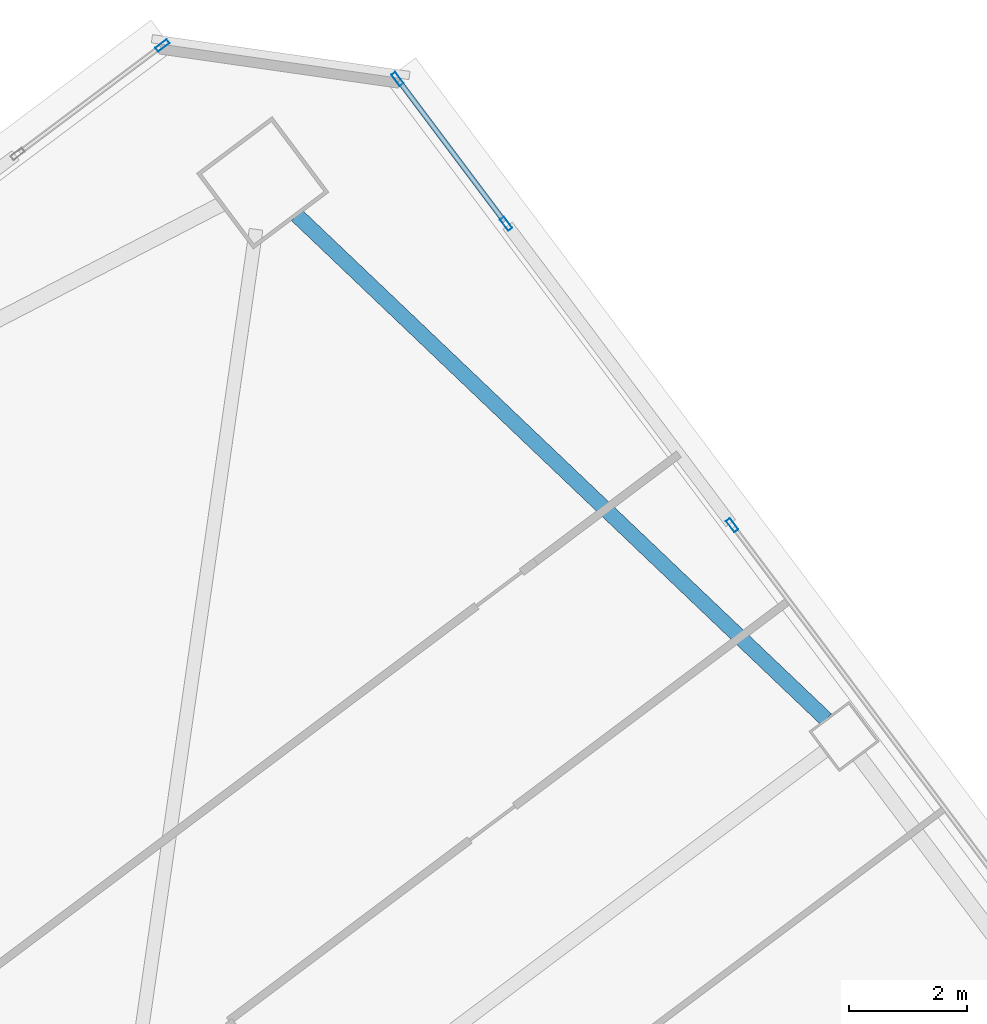
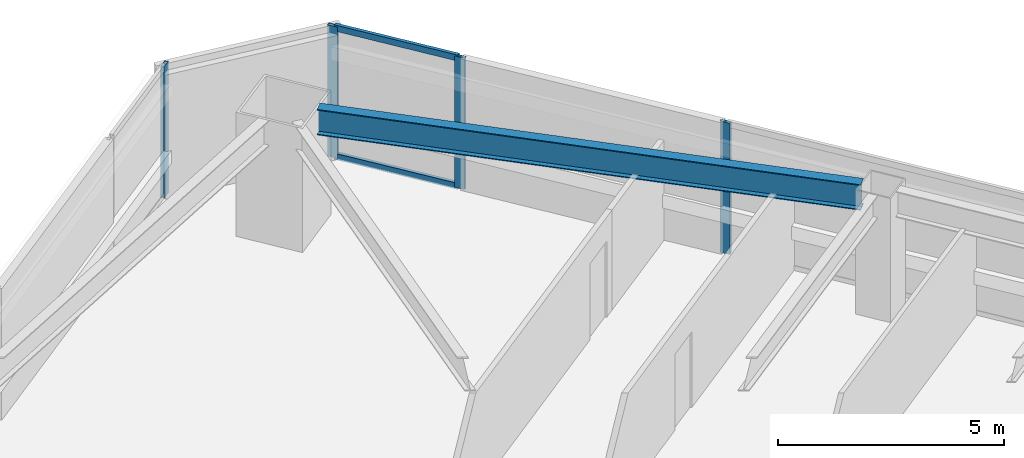
# One storey, part 36 of 51: 6 members, 1 beam, 3 elements without a shape of their own.
"""IFC4 building model written with IfcOpenShell, lengths in metres."""

import ifcopenshell
import ifcopenshell.guid

model = None  # the IFC model being written
_history = None  # IfcOwnerHistory: only IFC2X3 demands one
_inside = {}  # id of a spatial element -> (the spatial element, [elements in it])
_under = {}  # id of a project, library or spatial element -> (it, [spatial elements below it])
_declared = {}  # id of a project -> (the project, [libraries it declares])
_typed = {}  # id of a type object -> (the type object, [elements of that type])
_made_of = {}  # id of a material, layer set ... -> (it, [elements and type objects made of it])


def new_model(schema):
    """Start an empty IFC model of exactly this schema.

    Asked for "IFC4X3", IfcOpenShell would pick the latest addendum, in which some entities
    have other attributes; the version numbers below select the first issue.
    IFC2X3 requires an IfcOwnerHistory on every rooted entity: one is made here for all.
    """
    global model, _history
    if schema == "IFC4X3":
        model = ifcopenshell.file(schema_version=(4, 3, 0, 0))
    else:
        model = ifcopenshell.file(schema=schema)
    _inside.clear()
    _under.clear()
    _declared.clear()
    _typed.clear()
    _made_of.clear()
    _history = None
    if model.schema == "IFC2X3":
        org = make("IfcOrganization", Name="unknown")
        user = make(
            "IfcPersonAndOrganization",
            ThePerson=make("IfcPerson", FamilyName="unknown"),
            TheOrganization=org,
        )
        app = make(
            "IfcApplication",
            ApplicationDeveloper=org,
            Version="unknown",
            ApplicationFullName="unknown",
            ApplicationIdentifier="unknown",
        )
        _history = make(
            "IfcOwnerHistory",
            OwningUser=user,
            OwningApplication=app,
            ChangeAction="ADDED",
            CreationDate=0,
        )
    return model


def make(cls, **values):
    """One entity of the class cls with the attributes given. An attribute that is None is left unset."""
    return model.create_entity(
        cls, **{name: value for name, value in values.items() if value is not None}
    )


def rooted(cls, **values):
    """An entity with a GlobalId (a new one), such as an element, a storey or a relation."""
    return make(cls, GlobalId=ifcopenshell.guid.new(), OwnerHistory=_history, **values)


def si_unit(unit_type, name, prefix=None):
    """IfcSIUnit, for example si_unit("LENGTHUNIT", "METRE", prefix="MILLI")."""
    return make("IfcSIUnit", UnitType=unit_type, Prefix=prefix, Name=name)


def assignment(units):
    """IfcUnitAssignment: the units of a project."""
    return None if units is None else make("IfcUnitAssignment", Units=units)


def point(xyz):
    """IfcCartesianPoint."""
    return None if xyz is None else make("IfcCartesianPoint", Coordinates=xyz)


def direction(xyz):
    """IfcDirection."""
    return None if xyz is None else make("IfcDirection", DirectionRatios=xyz)


def frame(location, z_axis=None, x_axis=None):
    """IfcAxis2Placement3D, a coordinate frame: its origin and axes. An axis left out is left unset."""
    return make(
        "IfcAxis2Placement3D",
        Location=point(location),
        Axis=direction(z_axis),
        RefDirection=direction(x_axis),
    )


def frame_2d(location, x_axis=None):
    """IfcAxis2Placement2D, a coordinate frame in the plane: its origin and x axis."""
    return make(
        "IfcAxis2Placement2D", Location=point(location), RefDirection=direction(x_axis)
    )


def origin():
    """The frame at (0, 0, 0) with its axes left unset."""
    return frame((0.0, 0.0, 0.0))


def origin_2d():
    """The frame at (0, 0) in the plane with its x axis left unset."""
    return frame_2d((0.0, 0.0))


def place(relative_to, where):
    """IfcLocalPlacement: puts the frame where relative to a parent placement (None: the world)."""
    return make(
        "IfcLocalPlacement", PlacementRelTo=relative_to, RelativePlacement=where
    )


def context(
    kind, dimensions, precision=None, world=None, true_north=None, identifier=None
):
    """IfcGeometricRepresentationContext, for example the 3D "Model" context."""
    return make(
        "IfcGeometricRepresentationContext",
        ContextIdentifier=identifier,
        ContextType=kind,
        CoordinateSpaceDimension=dimensions,
        Precision=precision,
        WorldCoordinateSystem=world,
        TrueNorth=true_north,
    )


def subcontext(parent, identifier, kind, view, scale=None):
    """IfcGeometricRepresentationSubContext, for example "Body" below "Model"."""
    return make(
        "IfcGeometricRepresentationSubContext",
        ContextIdentifier=identifier,
        ContextType=kind,
        ParentContext=parent,
        TargetScale=scale,
        TargetView=view,
    )


def project(units=None, contexts=None):
    """IfcProject with its units and contexts."""
    return rooted(
        "IfcProject",
        Name="project",
        RepresentationContexts=contexts,
        UnitsInContext=assignment(units),
    )


def spatial(cls, under=None, at=None, **own):
    """A site, building, storey or space (cls), placed at a placement, below another one or the project."""
    s = rooted(cls, ObjectPlacement=at, **own)
    if under is not None:
        _under.setdefault(under.id(), (under, []))[1].append(s)
    return s


def profile(cls, at=None, kind="AREA", **sizes):
    """A parametric profile (cls). Its sizes go by their IFC names, for example OverallWidth=200.0."""
    return make(cls, ProfileType=kind, Position=at, **sizes)


def hollow_rectangle(**sizes):
    """IfcRectangleHollowProfileDef."""
    return profile("IfcRectangleHollowProfileDef", **sizes)


def i_section(**sizes):
    """IfcIShapeProfileDef."""
    return profile("IfcIShapeProfileDef", **sizes)


def extrude(swept, where, along, depth):
    """IfcExtrudedAreaSolid: the profile swept, set in the frame where, extruded along a direction by depth."""
    return make(
        "IfcExtrudedAreaSolid",
        SweptArea=swept,
        Position=where,
        ExtrudedDirection=direction(along),
        Depth=depth,
    )


def shape(context_of_items, identifier, shape_type, items):
    """IfcShapeRepresentation: the items that make up one representation, for example the "Body"."""
    return make(
        "IfcShapeRepresentation",
        ContextOfItems=context_of_items,
        RepresentationIdentifier=identifier,
        RepresentationType=shape_type,
        Items=items,
    )


def material(Name=None, Category=None):
    """IfcMaterial."""
    return make("IfcMaterial", Name=Name, Category=Category)


def material_profile(
    of_material, cross_section, Name=None, Category=None, Priority=None
):
    """IfcMaterialProfile: a cross section and its material."""
    return make(
        "IfcMaterialProfile",
        Name=Name,
        Material=of_material,
        Profile=cross_section,
        Priority=Priority,
        Category=Category,
    )


def profile_set(profiles, Name=None, composite=None):
    """IfcMaterialProfileSet."""
    return make(
        "IfcMaterialProfileSet",
        Name=Name,
        MaterialProfiles=profiles,
        CompositeProfile=composite,
    )


def made_of(thing, what):
    """Note that an element or type object is made of a material, layer set ...; save() writes the relation."""
    if what is not None:
        _made_of.setdefault(what.id(), (what, []))[1].append(thing)
    return thing


def type_object(cls, material=None, **own):
    """A type object (cls), such as IfcWallType, which elements share."""
    return made_of(rooted(cls, **own), material)


def element(
    cls,
    number,
    at=None,
    inside=None,
    cuts=None,
    type_object=None,
    material=None,
    context=None,
    identifier="Body",
    shape_type=None,
    held_by="IfcProductDefinitionShape",
    body=None,
    shapes=None,
    **own,
):
    """One element of the class cls, such as IfcWall. Its Tag is "e" and its number.

    at: its placement. inside: the storey or other place that contains it. cuts: it is an
    opening in that element (IfcRelVoidsElement). A single representation is given by context,
    identifier, shape_type and body (its items); several are given by shapes. held_by: the class
    of the entity that holds the representations. save() writes the other relations.
    """
    e = rooted(cls, Tag="e%d" % number, ObjectPlacement=at, **own)
    if body is not None:
        shapes = [shape(context, identifier, shape_type, body)]
    if shapes is not None:
        e.Representation = make(held_by, Representations=shapes)
    if inside is not None:
        _inside.setdefault(inside.id(), (inside, []))[1].append(e)
    if cuts is not None:
        rooted(
            "IfcRelVoidsElement", RelatingBuildingElement=cuts, RelatedOpeningElement=e
        )
    if type_object is not None:
        _typed.setdefault(type_object.id(), (type_object, []))[1].append(e)
    return made_of(e, material)


def aggregate(whole, parts):
    """IfcRelAggregates: a whole, such as a stair, and the parts it consists of."""
    return rooted("IfcRelAggregates", RelatingObject=whole, RelatedObjects=parts)


def save(model, path):
    """Write the relations noted so far, then the file.

    IfcRelAggregates (storeys below a building ...), IfcRelContainedInSpatialStructure (elements
    in a storey), IfcRelDefinesByType, IfcRelAssociatesMaterial and IfcRelDeclares: one each for
    every whole, place, type object, material and project.
    """
    for whole, parts in _under.values():
        aggregate(whole, parts)
    for where, things in _inside.values():
        rooted(
            "IfcRelContainedInSpatialStructure",
            RelatedElements=things,
            RelatingStructure=where,
        )
    for kind, things in _typed.values():
        rooted("IfcRelDefinesByType", RelatedObjects=things, RelatingType=kind)
    for what, things in _made_of.values():
        rooted("IfcRelAssociatesMaterial", RelatedObjects=things, RelatingMaterial=what)
    for by, libraries in _declared.values():
        rooted("IfcRelDeclares", RelatingContext=by, RelatedDefinitions=libraries)
    model.write(path)


model = new_model("IFC4")

# Units and contexts
model_context = context("Model", 3, precision=1e-05, world=origin(), true_north=direction((0.0, 1.0)))
body_context = subcontext(model_context, "Body", "Model", "MODEL_VIEW")
ifc_project = project(units=[si_unit("LENGTHUNIT", "METRE"), si_unit("AREAUNIT", "SQUARE_METRE"), si_unit("VOLUMEUNIT", "CUBIC_METRE"), si_unit("PLANEANGLEUNIT", "RADIAN"), si_unit("MASSUNIT", "GRAM", prefix="KILO")], contexts=[model_context])

# Site, building, storey
site_placement = place(None, origin())
site = spatial("IfcSite", under=ifc_project, at=site_placement, CompositionType="ELEMENT")
building_placement = place(site_placement, origin())
building = spatial("IfcBuilding", under=site, at=building_placement, Name="Tashvorn Skyway Center", CompositionType="ELEMENT")
storey_placement = place(building_placement, frame((0.0, 0.0, 49.449951171875)))
storey = spatial("IfcBuildingStorey", under=building, at=storey_placement, Name="L12", CompositionType="ELEMENT", Elevation=49.449951171875)

# Beam
ifc_material_1 = material(Name="Steel ASTM A992 Grade 50", Category="steel")
ifc_material_profile_1 = material_profile(ifc_material_1, i_section(OverallWidth=0.256103515625, OverallDepth=0.693115234375, WebThickness=0.014404296875, FlangeThickness=0.023681640625, at=origin_2d()), Name="W27X114")
ifc_profile_set_1 = profile_set([ifc_material_profile_1], Name="Steel ASTM A992 Grade 50")
beam_type = type_object("IfcBeamType", Name="BM-SPANDREL-W27X114", PredefinedType="SPANDREL", material=ifc_profile_set_1)
beam_placement = place(storey_placement, frame((127.2958984375, 49.23974609375, 3.003662109375), z_axis=(-0.724200339835, 0.689589637236, 0.0), x_axis=(-0.689589637236, -0.724200339835, 0.0)))
element("IfcBeam", 1, at=beam_placement, inside=storey, type_object=beam_type, Name="Tower 2 L12 Spandrel Beam 06", PredefinedType="SPANDREL", context=body_context, shape_type="SweptSolid", body=[
    extrude(i_section(OverallWidth=0.256103515625, OverallDepth=0.693115234375, WebThickness=0.014404296875, FlangeThickness=0.023681640625, at=origin_2d()), origin(), (0.0, 0.0, 1.0), 12.37255859375),
])

# Curtain wall, member
ifc_material_2 = material(Name="Thermally broken bronze-anodized aluminium 6063-T6", Category="aluminium")
curtain_wall_type = type_object("IfcCurtainWallType", Name="CW-CW-Z1", PredefinedType="NOTDEFINED", material=ifc_material_2)
curtain_wall_1_placement = place(storey_placement, origin())
curtain_wall_1 = element("IfcCurtainWall", 2, at=curtain_wall_1_placement, inside=storey, type_object=curtain_wall_type, Name="Tower 2 L12 North Unitised Curtain Wall Glazing Group 3", PredefinedType="NOTDEFINED")
ifc_material_profile_2 = material_profile(ifc_material_2, hollow_rectangle(XDim=0.0849609375, YDim=0.239990234375, WallThickness=0.0048828125, at=origin_2d()), Name="ALU-MULL-85x240")
ifc_profile_set_2 = profile_set([ifc_material_profile_2], Name="Thermally broken bronze-anodized aluminium 6063-T6")
member_type_1 = type_object("IfcMemberType", Name="CWM-CW-Z1", PredefinedType="MULLION", material=ifc_profile_set_2)
member_1_placement = place(storey_placement, frame((116.06201171875, 60.646484375, 0.0), z_axis=(0.0, 0.0, 1.0), x_axis=(-0.600005084776, 0.799996186392, 0.0)))
member_1 = element("IfcMember", 3, at=member_1_placement, type_object=member_type_1, Name="CW-Z1 mullion 2", PredefinedType="MULLION", context=body_context, shape_type="SweptSolid", body=[
    extrude(hollow_rectangle(XDim=0.0849609375, YDim=0.239990234375, WallThickness=0.0048828125, at=origin_2d()), origin(), (0.0, 0.0, 1.0), 3.550048828125),
])
aggregate(curtain_wall_1, [member_1])

# Curtain wall, members
curtain_wall_2_placement = place(storey_placement, origin())
curtain_wall_2 = element("IfcCurtainWall", 4, at=curtain_wall_2_placement, inside=storey, type_object=curtain_wall_type, Name="Tower 2 L12 East Unitised Curtain Wall Glazing Group 1", PredefinedType="NOTDEFINED")
member_2_placement = place(storey_placement, frame((120.04150390625, 60.077880859375, 0.0), z_axis=(0.0, 0.0, 1.0), x_axis=(0.799996186392, 0.600005084776, 0.0)))
member_2 = element("IfcMember", 5, at=member_2_placement, type_object=member_type_1, Name="CW-Z1 mullion 1", PredefinedType="MULLION", context=body_context, shape_type="SweptSolid", body=[
    extrude(hollow_rectangle(XDim=0.0849609375, YDim=0.239990234375, WallThickness=0.0048828125, at=origin_2d()), origin(), (0.0, 0.0, 1.0), 3.550048828125),
])
member_3_placement = place(storey_placement, frame((121.87841796875, 57.628662109375, 0.0), z_axis=(0.0, 0.0, 1.0), x_axis=(0.799996186392, 0.600005084776, 0.0)))
member_3 = element("IfcMember", 6, at=member_3_placement, type_object=member_type_1, Name="CW-Z1 mullion 2", PredefinedType="MULLION", context=body_context, shape_type="SweptSolid", body=[
    extrude(hollow_rectangle(XDim=0.0849609375, YDim=0.239990234375, WallThickness=0.0048828125, at=origin_2d()), origin(), (0.0, 0.0, 1.0), 3.550048828125),
])

# Curtain wall, member
curtain_wall_3_placement = place(storey_placement, origin())
curtain_wall_3 = element("IfcCurtainWall", 7, at=curtain_wall_3_placement, inside=storey, type_object=curtain_wall_type, Name="Tower 2 L12 East Unitised Curtain Wall Glazing Group 2", PredefinedType="NOTDEFINED")
member_4_placement = place(storey_placement, frame((125.70556640625, 52.52587890625, 0.0), z_axis=(0.0, 0.0, 1.0), x_axis=(0.799999999998, 0.600000000002, 0.0)))
member_4 = element("IfcMember", 8, at=member_4_placement, type_object=member_type_1, Name="CW-Z1 mullion 1", PredefinedType="MULLION", context=body_context, shape_type="SweptSolid", body=[
    extrude(hollow_rectangle(XDim=0.0849609375, YDim=0.239990234375, WallThickness=0.0048828125, at=origin_2d()), origin(), (0.0, 0.0, 1.0), 3.550048828125),
])
aggregate(curtain_wall_3, [member_4])

# Member
ifc_material_profile_3 = material_profile(ifc_material_2, hollow_rectangle(XDim=0.0849609375, YDim=0.1650390625, WallThickness=0.0048828125, at=origin_2d()), Name="ALU-TRAN-85x165")
ifc_profile_set_3 = profile_set([ifc_material_profile_3], Name="Thermally broken bronze-anodized aluminium 6063-T6")
member_type_2 = type_object("IfcMemberType", Name="CWT-CW-Z1", PredefinedType="USERDEFINED", material=ifc_profile_set_3)
member_5_placement = place(storey_placement, frame((120.06689453125, 60.0439453125, 0.04248046875), z_axis=(0.600026244674, -0.799980315822, 0.0), x_axis=(0.799980315822, 0.600026244674, 0.0)))
member_5 = element("IfcMember", 9, at=member_5_placement, type_object=member_type_2, Name="CW-Z1 transom 1.1", ObjectType="TRANSOM", PredefinedType="USERDEFINED", context=body_context, shape_type="SweptSolid", body=[
    extrude(hollow_rectangle(XDim=0.0849609375, YDim=0.1650390625, WallThickness=0.0048828125, at=origin_2d()), origin(), (0.0, 0.0, 1.0), 2.976806640625),
])

member_6_placement = place(storey_placement, frame((120.06689453125, 60.0439453125, 3.507568359375), z_axis=(0.600026244674, -0.799980315822, 0.0), x_axis=(0.799980315822, 0.600026244674, 0.0)))
member_6 = element("IfcMember", 10, at=member_6_placement, type_object=member_type_2, Name="CW-Z1 transom 1.2", ObjectType="TRANSOM", PredefinedType="USERDEFINED", context=body_context, shape_type="SweptSolid", body=[
    extrude(hollow_rectangle(XDim=0.0849609375, YDim=0.1650390625, WallThickness=0.0048828125, at=origin_2d()), origin(), (0.0, 0.0, 1.0), 2.976806640625),
])

aggregate(curtain_wall_2, [member_2, member_3, member_5, member_6])

save(model, "model.ifc")
